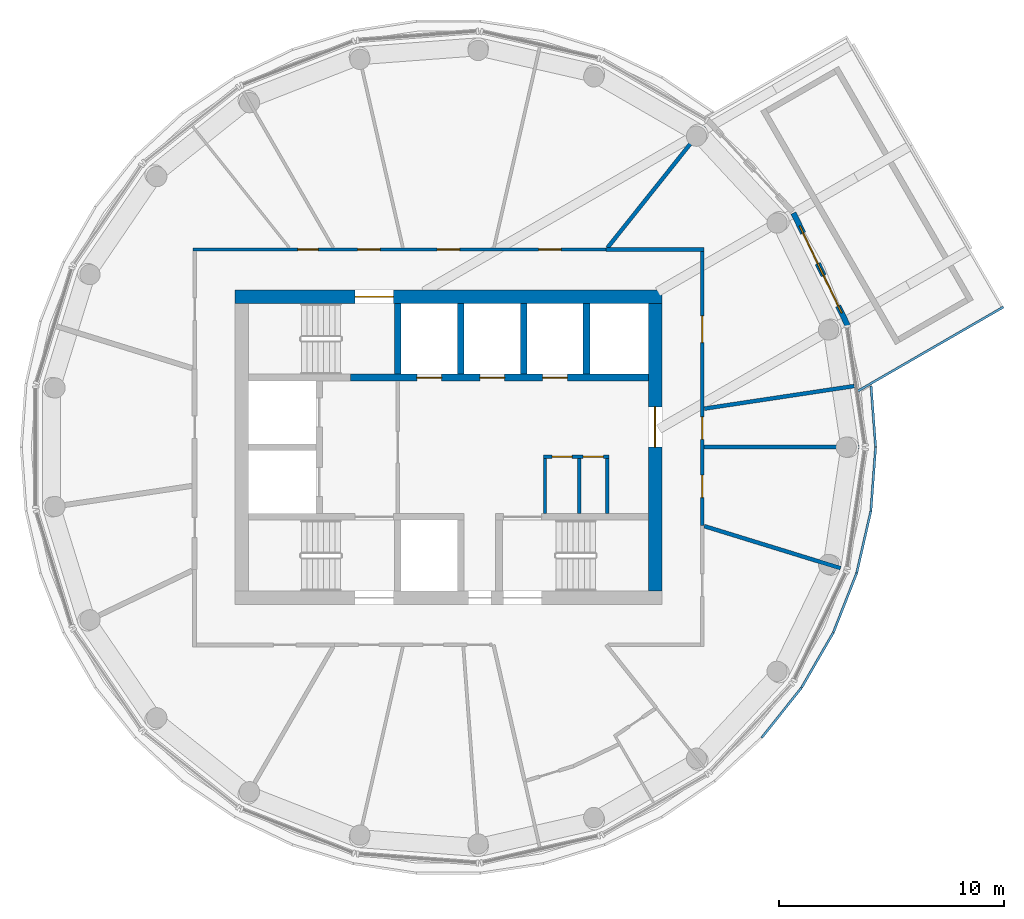
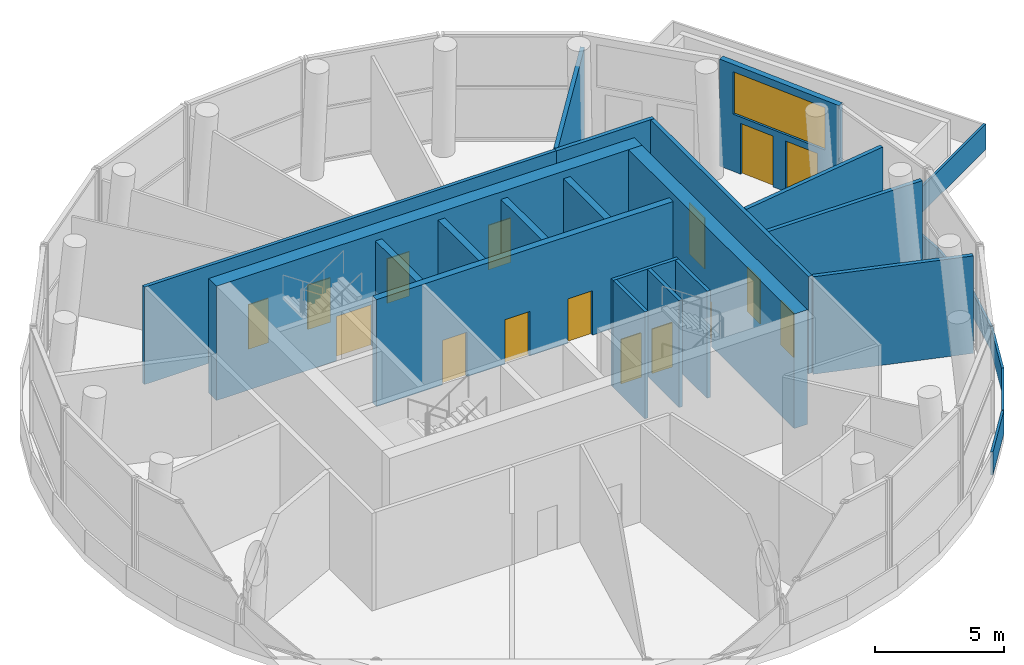
# One storey, part 6 of 10: 26 walls, 16 doors, 1 window, 17 openings.
"""IFC4 building model written with IfcOpenShell, lengths in metres."""

from ifc_helpers import new_model, si_unit, direction, frame, frame_2d, origin, place, context, subcontext, project, spatial, rectangle, extrude, material, layer, layer_set, type_object, element, fill, save


model = new_model("IFC4")

# Units and contexts
model_context = context("Model", 3, precision=1e-05, world=origin(), true_north=direction((0.0, 1.0)))
body_context = subcontext(model_context, "Body", "Model", "MODEL_VIEW")
ifc_project = project(units=[si_unit("LENGTHUNIT", "METRE"), si_unit("AREAUNIT", "SQUARE_METRE"), si_unit("VOLUMEUNIT", "CUBIC_METRE"), si_unit("PLANEANGLEUNIT", "RADIAN"), si_unit("MASSUNIT", "GRAM", prefix="KILO")], contexts=[model_context])

# Site, building, storey
site_placement = place(None, origin())
site = spatial("IfcSite", under=ifc_project, at=site_placement, CompositionType="ELEMENT")
building_placement = place(site_placement, origin())
building = spatial("IfcBuilding", under=site, at=building_placement, Name="Tracery Tower", CompositionType="ELEMENT")
storey_placement = place(building_placement, frame((0.0, 0.0, 341.39990234375)))
storey = spatial("IfcBuildingStorey", under=building, at=storey_placement, Name="L88", CompositionType="ELEMENT", Elevation=341.39990234375)

# Wall, openings, doors
ifc_material_1 = material(Name="Plasterboard on steel studs", Category="steel")
ifc_layer_1 = layer(ifc_material_1, 0.175048828125)
ifc_layer_set_1 = layer_set([ifc_layer_1], Name="Compartment partition 175")
wall_type_1 = type_object("IfcWallType", Name="Compartment partition 175", PredefinedType="PARTITIONING", material=ifc_layer_set_1)
wall_1_placement = place(storey_placement, frame((11.300048828125, 8.71240234375, 0.0), z_axis=(0.0, 0.0, 1.0), x_axis=(0.0, -1.0, 0.0)))
wall_1 = element("IfcWall", 1, at=wall_1_placement, inside=storey, type_object=wall_type_1, Name="Compartment partition 175", PredefinedType="PARTITIONING", context=body_context, shape_type="SweptSolid", body=[
    extrude(rectangle(XDim=12.197998046875, YDim=0.175048828125, at=frame_2d((6.09912109375, 0.0))), origin(), (0.0, 0.0, 1.0), 4.60009765625),
])
opening_1_placement = place(wall_1_placement, frame((2.86083984375, 0.0, 0.0)))
opening_1 = element("IfcOpeningElement", 2, at=opening_1_placement, cuts=wall_1, Name="Opening SB-L88-01", PredefinedType="OPENING", context=body_context, shape_type="SweptSolid", body=[
    extrude(rectangle(XDim=1.199951171875, YDim=2.39990234375, at=frame_2d((0.60009765625, 1.199951171875))), frame((0.0, 0.08740234375, 0.0), z_axis=(0.0, -1.0, 0.0), x_axis=(1.0, 0.0, 0.0)), (0.0, 0.0, 1.0), 0.175048828125),
])
opening_2_placement = place(wall_1_placement, frame((9.955322265625, 0.0, 0.0)))
opening_2 = element("IfcOpeningElement", 3, at=opening_2_placement, cuts=wall_1, Name="Opening SB-L88-16", PredefinedType="OPENING", context=body_context, shape_type="SweptSolid", body=[
    extrude(rectangle(XDim=1.0, YDim=2.10009765625, at=frame_2d((0.5, 1.050048828125))), frame((0.0, 0.08740234375, 0.0), z_axis=(0.0, -1.0, 0.0), x_axis=(1.0, 0.0, 0.0)), (0.0, 0.0, 1.0), 0.175048828125),
])
opening_3_placement = place(wall_1_placement, frame((7.36083984375, 0.0, 0.0)))
opening_3 = element("IfcOpeningElement", 4, at=opening_3_placement, cuts=wall_1, Name="Opening SB-L88-17", PredefinedType="OPENING", context=body_context, shape_type="SweptSolid", body=[
    extrude(rectangle(XDim=1.0, YDim=2.10009765625, at=frame_2d((0.5, 1.050048828125))), frame((0.0, 0.08740234375, 0.0), z_axis=(0.0, -1.0, 0.0), x_axis=(1.0, 0.0, 0.0)), (0.0, 0.0, 1.0), 0.175048828125),
])
ifc_material_2 = material(Name="Glazed aluminium door", Category="aluminium")
door_type_1 = type_object("IfcDoorType", Name="Glazed hall door 1200", OperationType="DOUBLE_DOOR_SINGLE_SWING", PredefinedType="DOOR", material=ifc_material_2)
door_1_placement = place(opening_1_placement, origin())
door_1 = element("IfcDoor", 5, at=door_1_placement, inside=storey, type_object=door_type_1, Name="Glazed hall door 1200", OperationType="DOUBLE_DOOR_SINGLE_SWING", OverallHeight=2.39990234375, OverallWidth=1.199951171875, PredefinedType="DOOR", context=body_context, shape_type="SweptSolid", body=[
    extrude(rectangle(XDim=1.199951171875, YDim=2.39990234375, at=frame_2d((0.60009765625, 1.199951171875))), frame((0.0, 0.02490234375, 0.0), z_axis=(0.0, -1.0, 0.0), x_axis=(1.0, 0.0, 0.0)), (0.0, 0.0, 1.0), 0.050048828125),
])
fill(opening_1, door_1)
ifc_material_3 = material(Name="Timber door leaf", Category="wood")
door_type_2 = type_object("IfcDoorType", Name="Public room door 1000", OperationType="NOTDEFINED", PredefinedType="DOOR", material=ifc_material_3)
door_2_placement = place(opening_2_placement, origin())
door_2 = element("IfcDoor", 6, at=door_2_placement, inside=storey, type_object=door_type_2, Name="Public room door 1000", OperationType="SINGLE_SWING_RIGHT", OverallHeight=2.10009765625, OverallWidth=1.0, PredefinedType="DOOR", context=body_context, shape_type="SweptSolid", body=[
    extrude(rectangle(XDim=1.0, YDim=2.10009765625, at=frame_2d((0.5, 1.050048828125))), frame((0.0, 0.02490234375, 0.0), z_axis=(0.0, -1.0, 0.0), x_axis=(1.0, 0.0, 0.0)), (0.0, 0.0, 1.0), 0.050048828125),
])
fill(opening_2, door_2)
door_3_placement = place(opening_3_placement, origin())
door_3 = element("IfcDoor", 7, at=door_3_placement, inside=storey, type_object=door_type_2, Name="Public room door 1000", OperationType="SINGLE_SWING_RIGHT", OverallHeight=2.10009765625, OverallWidth=1.0, PredefinedType="DOOR", context=body_context, shape_type="SweptSolid", body=[
    extrude(rectangle(XDim=1.0, YDim=2.10009765625, at=frame_2d((0.5, 1.050048828125))), frame((0.0, 0.02490234375, 0.0), z_axis=(0.0, -1.0, 0.0), x_axis=(1.0, 0.0, 0.0)), (0.0, 0.0, 1.0), 0.050048828125),
])
fill(opening_3, door_3)

# Walls
wall_2_placement = place(storey_placement, frame((11.387451171875, 8.800048828125, 0.0), z_axis=(0.0, 0.0, 1.0), x_axis=(-1.0, 0.0, 0.0)))
element("IfcWall", 8, at=wall_2_placement, inside=storey, type_object=wall_type_1, Name="Compartment partition 175", PredefinedType="PARTITIONING", context=body_context, shape_type="SweptSolid", body=[
    extrude(rectangle(XDim=4.36962890625, YDim=0.175048828125, at=frame_2d((2.184814453125, 0.0))), origin(), (0.0, 0.0, 1.0), 4.60009765625),
])
wall_3_placement = place(storey_placement, frame((11.39208984375, 14.28515625, 0.0), z_axis=(0.0, 0.0, 1.0), x_axis=(-0.62348247069, -0.781837328824, 0.0)))
element("IfcWall", 9, at=wall_3_placement, inside=storey, type_object=wall_type_1, Name="Compartment partition 175", PredefinedType="PARTITIONING", context=body_context, shape_type="SweptSolid", body=[
    extrude(rectangle(XDim=6.90380859375, YDim=0.175048828125, at=frame_2d((3.451904296875, 0.0))), origin(), (0.0, 0.0, 1.0), 4.60009765625),
])
wall_4_placement = place(storey_placement, frame((17.459716796875, -5.385498046875, 0.0), z_axis=(0.0, 0.0, 1.0), x_axis=(-0.955583582737, 0.294720234126, 0.0)))
element("IfcWall", 10, at=wall_4_placement, inside=storey, type_object=wall_type_1, Name="Compartment partition 175", PredefinedType="PARTITIONING", context=body_context, shape_type="SweptSolid", body=[
    extrude(rectangle(XDim=6.3544921875, YDim=0.175048828125, at=frame_2d((3.17724609375, 0.0))), origin(), (0.0, 0.0, 1.0), 4.60009765625),
])
wall_5_placement = place(storey_placement, frame((18.0673828125, 2.72314453125, 0.0), z_axis=(0.0, 0.0, 1.0), x_axis=(-0.988830493551, -0.149044473309, 0.0)))
element("IfcWall", 11, at=wall_5_placement, inside=storey, type_object=wall_type_1, Name="Compartment partition 175", PredefinedType="PARTITIONING", context=body_context, shape_type="SweptSolid", body=[
    extrude(rectangle(XDim=6.748779296875, YDim=0.175048828125, at=frame_2d((3.37451171875, 0.0))), origin(), (0.0, 0.0, 1.0), 4.60009765625),
])
wall_6_placement = place(storey_placement, frame((18.271484375, 0.0, 0.0), z_axis=(0.0, 0.0, 1.0), x_axis=(-1.0, 0.0, 0.0)))
element("IfcWall", 12, at=wall_6_placement, inside=storey, type_object=wall_type_1, Name="Compartment partition 175", PredefinedType="PARTITIONING", context=body_context, shape_type="SweptSolid", body=[
    extrude(rectangle(XDim=6.884033203125, YDim=0.175048828125, at=frame_2d((3.44189453125, 0.0))), origin(), (0.0, 0.0, 1.0), 4.60009765625),
])
ifc_material_4 = material(Name="Plasterboard on steel studs", Category="steel")
ifc_layer_2 = layer(ifc_material_4, 0.14990234375)
ifc_layer_set_2 = layer_set([ifc_layer_2], Name="Core room partition 150")
wall_type_2 = type_object("IfcWallType", Name="Core room partition 150", PredefinedType="SOLIDWALL", material=ifc_layer_set_2)
wall_7_placement = place(storey_placement, frame((4.300048828125, -2.949951171875, 0.0), z_axis=(0.0, 0.0, 1.0), x_axis=(0.0, 1.0, 0.0)))
element("IfcWall", 13, at=wall_7_placement, inside=storey, type_object=wall_type_2, Name="L88 slot W", PredefinedType="SOLIDWALL", context=body_context, shape_type="SweptSolid", body=[
    extrude(rectangle(XDim=2.449951171875, YDim=0.14990234375, at=frame_2d((1.22509765625, 0.0))), origin(), (0.0, 0.0, 1.0), 5.050048828125),
])

# Wall, openings, doors
wall_8_placement = place(storey_placement, frame((4.22509765625, -0.425048828125, 0.0), z_axis=(0.0, 0.0, 1.0), x_axis=(1.0, 0.0, 0.0)))
wall_8 = element("IfcWall", 14, at=wall_8_placement, inside=storey, type_object=wall_type_2, Name="L88 slot N", PredefinedType="SOLIDWALL", context=body_context, shape_type="SweptSolid", body=[
    extrude(rectangle(XDim=2.9248046875, YDim=0.14990234375, at=frame_2d((1.46240234375, 0.0))), origin(), (0.0, 0.0, 1.0), 5.050048828125),
])
opening_4_placement = place(wall_8_placement, frame((0.387451171875, 0.0, 0.0)))
opening_4 = element("IfcOpeningElement", 15, at=opening_4_placement, cuts=wall_8, Name="Opening KD22", PredefinedType="OPENING", context=body_context, shape_type="SweptSolid", body=[
    extrude(rectangle(XDim=0.89990234375, YDim=2.10009765625, at=frame_2d((0.449951171875, 1.050048828125))), frame((0.0, 0.074951171875, 0.0), z_axis=(0.0, -1.0, 0.0), x_axis=(1.0, 0.0, 0.0)), (0.0, 0.0, 1.0), 0.14990234375),
])
opening_5_placement = place(wall_8_placement, frame((1.77490234375, 0.0, 0.0)))
opening_5 = element("IfcOpeningElement", 16, at=opening_5_placement, cuts=wall_8, Name="Opening KD26", PredefinedType="OPENING", context=body_context, shape_type="SweptSolid", body=[
    extrude(rectangle(XDim=0.89990234375, YDim=2.10009765625, at=frame_2d((0.449951171875, 1.050048828125))), frame((0.0, 0.074951171875, 0.0), z_axis=(0.0, -1.0, 0.0), x_axis=(1.0, 0.0, 0.0)), (0.0, 0.0, 1.0), 0.14990234375),
])
ifc_material_5 = material(Name="Timber door leaf", Category="wood")
door_type_3 = type_object("IfcDoorType", Name="Core WC door 900", OperationType="NOTDEFINED", PredefinedType="DOOR", material=ifc_material_5)
door_4_placement = place(opening_4_placement, origin())
door_4 = element("IfcDoor", 17, at=door_4_placement, inside=storey, type_object=door_type_3, Name="Core door", OperationType="SINGLE_SWING_RIGHT", OverallHeight=2.10009765625, OverallWidth=0.89990234375, PredefinedType="DOOR", context=body_context, shape_type="SweptSolid", body=[
    extrude(rectangle(XDim=0.89990234375, YDim=2.10009765625, at=frame_2d((0.449951171875, 1.050048828125))), frame((0.0, 0.02490234375, 0.0), z_axis=(0.0, -1.0, 0.0), x_axis=(1.0, 0.0, 0.0)), (0.0, 0.0, 1.0), 0.050048828125),
])
fill(opening_4, door_4)
ifc_material_6 = material(Name="Timber door leaf", Category="wood")
door_type_4 = type_object("IfcDoorType", Name="Core store door 900", OperationType="NOTDEFINED", PredefinedType="DOOR", material=ifc_material_6)
door_5_placement = place(opening_5_placement, origin())
door_5 = element("IfcDoor", 18, at=door_5_placement, inside=storey, type_object=door_type_4, Name="Core door", OperationType="SINGLE_SWING_LEFT", OverallHeight=2.10009765625, OverallWidth=0.89990234375, PredefinedType="DOOR", context=body_context, shape_type="SweptSolid", body=[
    extrude(rectangle(XDim=0.89990234375, YDim=2.10009765625, at=frame_2d((0.449951171875, 1.050048828125))), frame((0.0, 0.02490234375, 0.0), z_axis=(0.0, -1.0, 0.0), x_axis=(1.0, 0.0, 0.0)), (0.0, 0.0, 1.0), 0.050048828125),
])
fill(opening_5, door_5)

# Walls
for number, where, z_axis, x_axis, name in (
    (19, (7.074951171875, -2.949951171875, 0.0), (0.0, 0.0, 1.0), (0.0, 1.0, 0.0), "L88 slot E"),
    (20, (5.824951171875, -2.949951171875, 0.0), (0.0, 0.0, 1.0), (0.0, 1.0, 0.0), "L88 slot sep 1"),
):
    element("IfcWall", number, at=place(storey_placement, frame(where, z_axis=z_axis, x_axis=x_axis)), inside=storey, type_object=wall_type_2, Name=name, PredefinedType="SOLIDWALL", context=body_context, shape_type="SweptSolid", body=[
        extrude(rectangle(XDim=2.449951171875, YDim=0.14990234375, at=frame_2d((1.22509765625, 0.0))), origin(), (0.0, 0.0, 1.0), 5.050048828125),
    ])

# Wall, opening, door
ifc_material_7 = material(Name="Concrete C40/50", Category="concrete")
ifc_layer_3 = layer(ifc_material_7, 0.60009765625)
ifc_layer_set_3 = layer_set([ifc_layer_3], Name="Core wall 600 C40")
wall_type_3 = type_object("IfcWallType", Name="Core wall 600 C40", PredefinedType="SOLIDWALL", material=ifc_layer_set_3)
wall_9_placement = place(storey_placement, frame((-9.5, 6.699951171875, 0.0), z_axis=(0.0, 0.0, 1.0), x_axis=(1.0, 0.0, 0.0)))
wall_9 = element("IfcWall", 21, at=wall_9_placement, inside=storey, type_object=wall_type_3, Name="L88 outer N", PredefinedType="SOLIDWALL", context=body_context, shape_type="SweptSolid", body=[
    extrude(rectangle(XDim=19.0, YDim=0.60009765625, at=frame_2d((9.5, 0.0))), origin(), (0.0, 0.0, 1.0), 5.400146484375),
])
opening_6_placement = place(wall_9_placement, frame((5.35009765625, 0.0, 0.0)))
opening_6 = element("IfcOpeningElement", 22, at=opening_6_placement, cuts=wall_9, Name="Opening KD3", PredefinedType="OPENING", context=body_context, shape_type="SweptSolid", body=[
    extrude(rectangle(XDim=1.699951171875, YDim=2.10009765625, at=frame_2d((0.85009765625, 1.050048828125))), frame((0.0, 0.300048828125, 0.0), z_axis=(0.0, -1.0, 0.0), x_axis=(1.0, 0.0, 0.0)), (0.0, 0.0, 1.0), 0.60009765625),
])
ifc_material_8 = material(Name="Steel fire door", Category="steel")
door_type_5 = type_object("IfcDoorType", Name="Core stair door 1700 double", OperationType="NOTDEFINED", PredefinedType="DOOR", material=ifc_material_8)
door_6_placement = place(opening_6_placement, origin())
door_6 = element("IfcDoor", 23, at=door_6_placement, inside=storey, type_object=door_type_5, Name="Stair door ST3 exit", OperationType="DOUBLE_DOOR_SINGLE_SWING", OverallHeight=2.10009765625, OverallWidth=1.699951171875, PredefinedType="DOOR", context=body_context, shape_type="SweptSolid", body=[
    extrude(rectangle(XDim=1.699951171875, YDim=2.10009765625, at=frame_2d((0.85009765625, 1.050048828125))), frame((0.0, 0.02490234375, 0.0), z_axis=(0.0, -1.0, 0.0), x_axis=(1.0, 0.0, 0.0)), (0.0, 0.0, 1.0), 0.050048828125),
])
fill(opening_6, door_6)

wall_10_placement = place(storey_placement, frame((9.199951171875, -6.39990234375, 0.0), z_axis=(0.0, 0.0, 1.0), x_axis=(0.0, 1.0, 0.0)))
wall_10 = element("IfcWall", 24, at=wall_10_placement, inside=storey, type_object=wall_type_3, Name="L88 outer E", PredefinedType="SOLIDWALL", context=body_context, shape_type="SweptSolid", body=[
    extrude(rectangle(XDim=12.7998046875, YDim=0.60009765625, at=frame_2d((6.39990234375, 0.0))), origin(), (0.0, 0.0, 1.0), 5.400146484375),
])
opening_7_placement = place(wall_10_placement, frame((6.39990234375, 0.0, 0.0)))
opening_7 = element("IfcOpeningElement", 25, at=opening_7_placement, cuts=wall_10, Name="Opening KD13", PredefinedType="OPENING", context=body_context, shape_type="SweptSolid", body=[
    extrude(rectangle(XDim=1.800048828125, YDim=2.10009765625, at=frame_2d((0.89990234375, 1.050048828125))), frame((0.0, 0.300048828125, 0.0), z_axis=(0.0, -1.0, 0.0), x_axis=(1.0, 0.0, 0.0)), (0.0, 0.0, 1.0), 0.60009765625),
])
ifc_material_9 = material(Name="Steel fire door", Category="steel")
door_type_6 = type_object("IfcDoorType", Name="Core exit door 1800 double", OperationType="NOTDEFINED", PredefinedType="DOOR", material=ifc_material_9)
door_7_placement = place(opening_7_placement, origin())
door_7 = element("IfcDoor", 26, at=door_7_placement, inside=storey, type_object=door_type_6, Name="Core exit door", OperationType="DOUBLE_DOOR_SINGLE_SWING", OverallHeight=2.10009765625, OverallWidth=1.800048828125, PredefinedType="DOOR", context=body_context, shape_type="SweptSolid", body=[
    extrude(rectangle(XDim=1.800048828125, YDim=2.10009765625, at=frame_2d((0.89990234375, 1.050048828125))), frame((0.0, 0.02490234375, 0.0), z_axis=(0.0, -1.0, 0.0), x_axis=(1.0, 0.0, 0.0)), (0.0, 0.0, 1.0), 0.050048828125),
])
fill(opening_7, door_7)

# Wall, openings, doors
ifc_material_10 = material(Name="Plasterboard on steel studs", Category="steel")
ifc_layer_4 = layer(ifc_material_10, 0.14990234375)
ifc_layer_set_4 = layer_set([ifc_layer_4], Name="Corridor partition 150")
wall_type_4 = type_object("IfcWallType", Name="Corridor partition 150", PredefinedType="PARTITIONING", material=ifc_layer_set_4)
wall_11_placement = place(storey_placement, frame((-11.375, 8.800048828125, 0.0), z_axis=(0.0, 0.0, 1.0), x_axis=(1.0, 0.0, 0.0)))
wall_11 = element("IfcWall", 27, at=wall_11_placement, inside=storey, type_object=wall_type_4, Name="Corridor partition 150", PredefinedType="PARTITIONING", context=body_context, shape_type="SweptSolid", body=[
    extrude(rectangle(XDim=18.392822265625, YDim=0.14990234375, at=frame_2d((9.1962890625, 0.0))), origin(), (0.0, 0.0, 1.0), 4.60009765625),
])
opening_8_placement = place(wall_11_placement, frame((15.38818359375, 0.0, 0.0)))
opening_8 = element("IfcOpeningElement", 28, at=opening_8_placement, cuts=wall_11, Name="Opening SB-L88-02", PredefinedType="OPENING", context=body_context, shape_type="SweptSolid", body=[
    extrude(rectangle(XDim=1.0, YDim=2.10009765625, at=frame_2d((0.5, 1.050048828125))), frame((0.0, 0.074951171875, 0.0), z_axis=(0.0, -1.0, 0.0), x_axis=(1.0, 0.0, 0.0)), (0.0, 0.0, 1.0), 0.14990234375),
])
opening_9_placement = place(wall_11_placement, frame((10.875, 0.0, 0.0)))
opening_9 = element("IfcOpeningElement", 29, at=opening_9_placement, cuts=wall_11, Name="Opening SB-L88-03", PredefinedType="OPENING", context=body_context, shape_type="SweptSolid", body=[
    extrude(rectangle(XDim=1.0, YDim=2.10009765625, at=frame_2d((0.5, 1.050048828125))), frame((0.0, 0.074951171875, 0.0), z_axis=(0.0, -1.0, 0.0), x_axis=(1.0, 0.0, 0.0)), (0.0, 0.0, 1.0), 0.14990234375),
])
opening_10_placement = place(wall_11_placement, frame((7.330322265625, 0.0, 0.0)))
opening_10 = element("IfcOpeningElement", 30, at=opening_10_placement, cuts=wall_11, Name="Opening SB-L88-04", PredefinedType="OPENING", context=body_context, shape_type="SweptSolid", body=[
    extrude(rectangle(XDim=1.0, YDim=2.10009765625, at=frame_2d((0.5, 1.050048828125))), frame((0.0, 0.074951171875, 0.0), z_axis=(0.0, -1.0, 0.0), x_axis=(1.0, 0.0, 0.0)), (0.0, 0.0, 1.0), 0.14990234375),
])
opening_11_placement = place(wall_11_placement, frame((4.67578125, 0.0, 0.0)))
opening_11 = element("IfcOpeningElement", 31, at=opening_11_placement, cuts=wall_11, Name="Opening SB-L88-05", PredefinedType="OPENING", context=body_context, shape_type="SweptSolid", body=[
    extrude(rectangle(XDim=0.89990234375, YDim=2.10009765625, at=frame_2d((0.449951171875, 1.050048828125))), frame((0.0, 0.074951171875, 0.0), z_axis=(0.0, -1.0, 0.0), x_axis=(1.0, 0.0, 0.0)), (0.0, 0.0, 1.0), 0.14990234375),
])
ifc_material_11 = material(Name="Timber door leaf", Category="wood")
door_type_7 = type_object("IfcDoorType", Name="Accessible toilet door 1000", OperationType="NOTDEFINED", PredefinedType="DOOR", material=ifc_material_11)
door_8_placement = place(opening_10_placement, origin())
door_8 = element("IfcDoor", 32, at=door_8_placement, inside=storey, type_object=door_type_7, Name="Accessible toilet door 1000", OperationType="SINGLE_SWING_RIGHT", OverallHeight=2.10009765625, OverallWidth=1.0, PredefinedType="DOOR", context=body_context, shape_type="SweptSolid", body=[
    extrude(rectangle(XDim=1.0, YDim=2.10009765625, at=frame_2d((0.5, 1.050048828125))), frame((0.0, 0.02490234375, 0.0), z_axis=(0.0, -1.0, 0.0), x_axis=(1.0, 0.0, 0.0)), (0.0, 0.0, 1.0), 0.050048828125),
])
fill(opening_10, door_8)
door_9_placement = place(opening_8_placement, origin())
door_9 = element("IfcDoor", 33, at=door_9_placement, inside=storey, type_object=door_type_2, Name="Public room door 1000", OperationType="SINGLE_SWING_RIGHT", OverallHeight=2.10009765625, OverallWidth=1.0, PredefinedType="DOOR", context=body_context, shape_type="SweptSolid", body=[
    extrude(rectangle(XDim=1.0, YDim=2.10009765625, at=frame_2d((0.5, 1.050048828125))), frame((0.0, 0.02490234375, 0.0), z_axis=(0.0, -1.0, 0.0), x_axis=(1.0, 0.0, 0.0)), (0.0, 0.0, 1.0), 0.050048828125),
])
fill(opening_8, door_9)
door_10_placement = place(opening_9_placement, origin())
door_10 = element("IfcDoor", 34, at=door_10_placement, inside=storey, type_object=door_type_2, Name="Public room door 1000", OperationType="SINGLE_SWING_RIGHT", OverallHeight=2.10009765625, OverallWidth=1.0, PredefinedType="DOOR", context=body_context, shape_type="SweptSolid", body=[
    extrude(rectangle(XDim=1.0, YDim=2.10009765625, at=frame_2d((0.5, 1.050048828125))), frame((0.0, 0.02490234375, 0.0), z_axis=(0.0, -1.0, 0.0), x_axis=(1.0, 0.0, 0.0)), (0.0, 0.0, 1.0), 0.050048828125),
])
fill(opening_9, door_10)
ifc_material_12 = material(Name="Steel fire door", Category="steel")
door_type_8 = type_object("IfcDoorType", Name="Store door 900", OperationType="NOTDEFINED", PredefinedType="DOOR", material=ifc_material_12)
door_11_placement = place(opening_11_placement, origin())
door_11 = element("IfcDoor", 35, at=door_11_placement, inside=storey, type_object=door_type_8, Name="Store door 900", OperationType="SINGLE_SWING_RIGHT", OverallHeight=2.10009765625, OverallWidth=0.89990234375, PredefinedType="DOOR", context=body_context, shape_type="SweptSolid", body=[
    extrude(rectangle(XDim=0.89990234375, YDim=2.10009765625, at=frame_2d((0.449951171875, 1.050048828125))), frame((0.0, 0.02490234375, 0.0), z_axis=(0.0, -1.0, 0.0), x_axis=(1.0, 0.0, 0.0)), (0.0, 0.0, 1.0), 0.050048828125),
])
fill(opening_11, door_11)

# Walls
ifc_material_13 = material(Name="Tinted laminated glass", Category="glass")
ifc_layer_5 = layer(ifc_material_13, 0.10009765625)
ifc_layer_set_5 = layer_set([ifc_layer_5], Name="Crown ledge glass parapet 100")
wall_type_5 = type_object("IfcWallType", Name="Crown ledge glass parapet 100", PredefinedType="PARAPET", material=ifc_layer_set_5)
wall_12_placement = place(storey_placement, frame((19.021728515625, 0.004638671875, 0.0), z_axis=(0.0, 0.0, 1.0), x_axis=(-0.074758787466, 0.997201646457, 0.0)))
element("IfcWall", 36, at=wall_12_placement, inside=storey, type_object=wall_type_5, Name="Crown ledge glass parapet L88 1", PredefinedType="PARAPET", context=body_context, shape_type="SweptSolid", body=[
    extrude(rectangle(XDim=2.726806640625, YDim=0.10009765625, at=frame_2d((1.36328125, 0.0))), origin(), (0.0, 0.0, 1.0), 1.10009765625),
])
wall_13_placement = place(storey_placement, frame((13.947021484375, -12.9345703125, 0.0), z_axis=(0.0, 0.0, 1.0), x_axis=(0.623528060762, 0.781800970479, 0.0)))
element("IfcWall", 37, at=wall_13_placement, inside=storey, type_object=wall_type_5, Name="Crown ledge glass parapet L88 38", PredefinedType="PARAPET", context=body_context, shape_type="SweptSolid", body=[
    extrude(rectangle(XDim=2.833740234375, YDim=0.10009765625, at=frame_2d((1.4169921875, 0.0))), origin(), (0.0, 0.0, 1.0), 1.10009765625),
])
for number, where, z_axis, x_axis, name in (
    (38, (15.718994140625, -10.71142578125, 0.0), (0.0, 0.0, 1.0), (0.500068006784, 0.865986136489, 0.0), "Crown ledge glass parapet L88 39"),
    (39, (17.139892578125, -8.248779296875, 0.0), (0.0, 0.0, 1.0), (0.36542576192, 0.930840487154, 0.0), "Crown ledge glass parapet L88 40"),
):
    element("IfcWall", number, at=place(storey_placement, frame(where, z_axis=z_axis, x_axis=x_axis)), inside=storey, type_object=wall_type_5, Name=name, PredefinedType="PARAPET", context=body_context, shape_type="SweptSolid", body=[
        extrude(rectangle(XDim=2.83349609375, YDim=0.10009765625, at=frame_2d((1.416748046875, 0.0))), origin(), (0.0, 0.0, 1.0), 1.10009765625),
    ])
wall_14_placement = place(storey_placement, frame((18.177978515625, -5.602294921875, 0.0), z_axis=(0.0, 0.0, 1.0), x_axis=(0.22253705317, 0.974924232936, 0.0)))
element("IfcWall", 40, at=wall_14_placement, inside=storey, type_object=wall_type_5, Name="Crown ledge glass parapet L88 41", PredefinedType="PARAPET", context=body_context, shape_type="SweptSolid", body=[
    extrude(rectangle(XDim=2.833740234375, YDim=0.10009765625, at=frame_2d((1.4169921875, 0.0))), origin(), (0.0, 0.0, 1.0), 1.10009765625),
])
wall_15_placement = place(storey_placement, frame((18.81005859375, -2.830322265625, 0.0), z_axis=(0.0, 0.0, 1.0), x_axis=(0.074699986856, 0.997206052912, 0.0)))
element("IfcWall", 41, at=wall_15_placement, inside=storey, type_object=wall_type_5, Name="Crown ledge glass parapet L88 42", PredefinedType="PARAPET", context=body_context, shape_type="SweptSolid", body=[
    extrude(rectangle(XDim=2.83349609375, YDim=0.10009765625, at=frame_2d((1.416748046875, 0.0))), origin(), (0.0, 0.0, 1.0), 1.10009765625),
])

# Wall, openings, window, doors
ifc_material_14 = material(Name="Precast concrete C50/60", Category="concrete")
ifc_layer_6 = layer(ifc_material_14, 0.25)
ifc_layer_set_6 = layer_set([ifc_layer_6], Name="Pool deck door bay wall 250")
wall_type_6 = type_object("IfcWallType", Name="Pool deck door bay wall 250", PredefinedType="STANDARD", material=ifc_layer_set_6)
wall_16_placement = place(storey_placement, frame((17.7861328125, 5.393310546875, 0.0), z_axis=(0.0, 0.0, 1.0), x_axis=(-0.433912859594, 0.900954843641, 0.0)))
wall_16 = element("IfcWall", 42, at=wall_16_placement, inside=storey, type_object=wall_type_6, Name="Pool deck door bay 2", PredefinedType="STANDARD", context=body_context, shape_type="SweptSolid", body=[
    extrude(rectangle(XDim=5.5859375, YDim=0.25, at=frame_2d((2.79296875, 0.0))), origin(), (0.0, 0.0, 1.0), 5.050048828125),
])
opening_12_placement = place(wall_16_placement, frame((0.992919921875, 0.0, 0.0)))
opening_12 = element("IfcOpeningElement", 43, at=opening_12_placement, cuts=wall_16, Name="Opening ED921", PredefinedType="OPENING", context=body_context, shape_type="SweptSolid", body=[
    extrude(rectangle(XDim=1.5, YDim=2.39990234375, at=frame_2d((0.75, 1.199951171875))), frame((0.0, 0.125, 0.0), z_axis=(0.0, -1.0, 0.0), x_axis=(1.0, 0.0, 0.0)), (0.0, 0.0, 1.0), 0.25),
])
opening_13_placement = place(wall_16_placement, frame((3.093017578125, 0.0, 0.0)))
opening_13 = element("IfcOpeningElement", 44, at=opening_13_placement, cuts=wall_16, Name="Opening ED922", PredefinedType="OPENING", context=body_context, shape_type="SweptSolid", body=[
    extrude(rectangle(XDim=1.5, YDim=2.39990234375, at=frame_2d((0.75, 1.199951171875))), frame((0.0, 0.125, 0.0), z_axis=(0.0, -1.0, 0.0), x_axis=(1.0, 0.0, 0.0)), (0.0, 0.0, 1.0), 0.25),
])
opening_14_placement = place(wall_16_placement, frame((0.64306640625, 0.0, 2.699951171875)))
opening_14 = element("IfcOpeningElement", 45, at=opening_14_placement, cuts=wall_16, Name="Opening EW821", PredefinedType="OPENING", context=body_context, shape_type="SweptSolid", body=[
    extrude(rectangle(XDim=4.300048828125, YDim=2.0, at=frame_2d((2.14990234375, 1.0))), frame((0.0, 0.125, 0.0), z_axis=(0.0, -1.0, 0.0), x_axis=(1.0, 0.0, 0.0)), (0.0, 0.0, 1.0), 0.25),
])
ifc_material_15 = material(Name="Aluminium frame with tinted double glazing", Category="aluminium")
window_type = type_object("IfcWindowType", Name="Pool bay glazed light 4300 x 2000", PartitioningType="SINGLE_PANEL", PredefinedType="WINDOW", material=ifc_material_15)
window_placement = place(opening_14_placement, origin())
window = element("IfcWindow", 46, at=window_placement, inside=storey, type_object=window_type, Name="Pool bay light EW821", OverallHeight=2.0, OverallWidth=4.300048828125, PartitioningType="SINGLE_PANEL", PredefinedType="WINDOW", context=body_context, shape_type="SweptSolid", body=[
    extrude(rectangle(XDim=4.300048828125, YDim=2.0, at=frame_2d((2.14990234375, 1.0))), frame((0.0, 0.030029296875, 0.0), z_axis=(0.0, -1.0, 0.0), x_axis=(1.0, 0.0, 0.0)), (0.0, 0.0, 1.0), 0.06005859375),
])
fill(opening_14, window)
ifc_material_16 = material(Name="Glazed aluminium door", Category="aluminium")
door_type_9 = type_object("IfcDoorType", Name="Pool deck door 1500 x 2400", OperationType="NOTDEFINED", PredefinedType="DOOR", material=ifc_material_16)
door_12_placement = place(opening_12_placement, origin())
door_12 = element("IfcDoor", 47, at=door_12_placement, inside=storey, type_object=door_type_9, Name="Pool deck door ED921", OperationType="SLIDING_TO_LEFT", OverallHeight=2.39990234375, OverallWidth=1.5, PredefinedType="DOOR", context=body_context, shape_type="SweptSolid", body=[
    extrude(rectangle(XDim=1.5, YDim=2.39990234375, at=frame_2d((0.75, 1.199951171875))), frame((0.0, 0.02490234375, 0.0), z_axis=(0.0, -1.0, 0.0), x_axis=(1.0, 0.0, 0.0)), (0.0, 0.0, 1.0), 0.050048828125),
])
fill(opening_12, door_12)
door_13_placement = place(opening_13_placement, origin())
door_13 = element("IfcDoor", 48, at=door_13_placement, inside=storey, type_object=door_type_9, Name="Pool deck door ED922", OperationType="SLIDING_TO_RIGHT", OverallHeight=2.39990234375, OverallWidth=1.5, PredefinedType="DOOR", context=body_context, shape_type="SweptSolid", body=[
    extrude(rectangle(XDim=1.5, YDim=2.39990234375, at=frame_2d((0.75, 1.199951171875))), frame((0.0, 0.02490234375, 0.0), z_axis=(0.0, -1.0, 0.0), x_axis=(1.0, 0.0, 0.0)), (0.0, 0.0, 1.0), 0.050048828125),
])
fill(opening_13, door_13)

# Walls
ifc_material_17 = material(Name="Tinted laminated glass", Category="glass")
ifc_layer_7 = layer(ifc_material_17, 0.10009765625)
ifc_layer_set_7 = layer_set([ifc_layer_7], Name="Pool deck glass parapet 100")
wall_type_7 = type_object("IfcWallType", Name="Pool deck glass parapet 100", PredefinedType="PARAPET", material=ifc_layer_set_7)
wall_17_placement = place(storey_placement, frame((18.1982421875, 2.4814453125, 0.0), z_axis=(0.0, 0.0, 1.0), x_axis=(0.866020676099, 0.500008188502, 0.0)))
element("IfcWall", 49, at=wall_17_placement, inside=storey, type_object=wall_type_7, Name="Pool deck glass parapet 1", PredefinedType="PARAPET", context=body_context, shape_type="SweptSolid", body=[
    extrude(rectangle(XDim=7.519287109375, YDim=0.10009765625, at=frame_2d((3.759765625, 0.0))), origin(), (0.0, 0.0, 1.0), 1.2001953125),
])
ifc_material_18 = material(Name="Concrete C40/50", Category="concrete")
ifc_layer_8 = layer(ifc_material_18, 0.300048828125)
ifc_layer_set_8 = layer_set([ifc_layer_8], Name="Shaft wall 300 C40")
wall_type_8 = type_object("IfcWallType", Name="Shaft wall 300 C40", PredefinedType="SOLIDWALL", material=ifc_layer_set_8)
for number, where, z_axis, x_axis, name in (
    (50, (0.550048828125, 3.25, 0.0), (0.0, 0.0, 1.0), (0.0, 1.0, 0.0), "L88 HR sep 1"),
    (51, (3.35009765625, 3.25, 0.0), (0.0, 0.0, 1.0), (0.0, 1.0, 0.0), "L88 HR sep 2"),
    (52, (6.14990234375, 3.25, 0.0), (0.0, 0.0, 1.0), (0.0, 1.0, 0.0), "L88 HR sep 3"),
):
    element("IfcWall", number, at=place(storey_placement, frame(where, z_axis=z_axis, x_axis=x_axis)), inside=storey, type_object=wall_type_8, Name=name, PredefinedType="SOLIDWALL", context=body_context, shape_type="SweptSolid", body=[
        extrude(rectangle(XDim=3.14990234375, YDim=0.300048828125, at=frame_2d((1.574951171875, 0.0))), origin(), (0.0, 0.0, 1.0), 5.050048828125),
    ])

# Wall, openings, doors
ifc_material_19 = material(Name="Concrete C40/50", Category="concrete")
ifc_layer_9 = layer(ifc_material_19, 0.300048828125)
ifc_layer_set_9 = layer_set([ifc_layer_9], Name="Stair wall 300 C40")
wall_type_9 = type_object("IfcWallType", Name="Stair wall 300 C40", PredefinedType="SOLIDWALL", material=ifc_layer_set_9)
wall_18_placement = place(storey_placement, frame((-4.35009765625, 3.10009765625, 0.0), z_axis=(0.0, 0.0, 1.0), x_axis=(1.0, 0.0, 0.0)))
wall_18 = element("IfcWall", 53, at=wall_18_placement, inside=storey, type_object=wall_type_9, Name="L88 row N", PredefinedType="SOLIDWALL", context=body_context, shape_type="SweptSolid", body=[
    extrude(rectangle(XDim=13.25, YDim=0.300048828125, at=frame_2d((6.625, 0.0))), origin(), (0.0, 0.0, 1.0), 5.050048828125),
])
opening_15_placement = place(wall_18_placement, frame((2.949951171875, 0.0, 0.0)))
opening_15 = element("IfcOpeningElement", 54, at=opening_15_placement, cuts=wall_18, Name="Opening KD49", PredefinedType="OPENING", context=body_context, shape_type="SweptSolid", body=[
    extrude(rectangle(XDim=1.10009765625, YDim=2.10009765625, at=frame_2d((0.550048828125, 1.050048828125))), frame((0.0, 0.14990234375, 0.0), z_axis=(0.0, -1.0, 0.0), x_axis=(1.0, 0.0, 0.0)), (0.0, 0.0, 1.0), 0.300048828125),
])
opening_16_placement = place(wall_18_placement, frame((5.75, 0.0, 0.0)))
opening_16 = element("IfcOpeningElement", 55, at=opening_16_placement, cuts=wall_18, Name="Opening KD50", PredefinedType="OPENING", context=body_context, shape_type="SweptSolid", body=[
    extrude(rectangle(XDim=1.10009765625, YDim=2.10009765625, at=frame_2d((0.550048828125, 1.050048828125))), frame((0.0, 0.14990234375, 0.0), z_axis=(0.0, -1.0, 0.0), x_axis=(1.0, 0.0, 0.0)), (0.0, 0.0, 1.0), 0.300048828125),
])
opening_17_placement = place(wall_18_placement, frame((8.550048828125, 0.0, 0.0)))
opening_17 = element("IfcOpeningElement", 56, at=opening_17_placement, cuts=wall_18, Name="Opening KD49", PredefinedType="OPENING", context=body_context, shape_type="SweptSolid", body=[
    extrude(rectangle(XDim=1.10009765625, YDim=2.10009765625, at=frame_2d((0.550048828125, 1.050048828125))), frame((0.0, 0.14990234375, 0.0), z_axis=(0.0, -1.0, 0.0), x_axis=(1.0, 0.0, 0.0)), (0.0, 0.0, 1.0), 0.300048828125),
])
ifc_material_20 = material(Name="Steel fire door", Category="steel")
door_type_10 = type_object("IfcDoorType", Name="Landing door 1100", OperationType="NOTDEFINED", PredefinedType="DOOR", material=ifc_material_20)
door_14_placement = place(opening_15_placement, origin())
door_14 = element("IfcDoor", 57, at=door_14_placement, inside=storey, type_object=door_type_10, Name="Landing door HR1", OperationType="SLIDING_TO_LEFT", OverallHeight=2.10009765625, OverallWidth=1.10009765625, PredefinedType="DOOR", context=body_context, shape_type="SweptSolid", body=[
    extrude(rectangle(XDim=1.10009765625, YDim=2.10009765625, at=frame_2d((0.550048828125, 1.050048828125))), frame((0.0, 0.02490234375, 0.0), z_axis=(0.0, -1.0, 0.0), x_axis=(1.0, 0.0, 0.0)), (0.0, 0.0, 1.0), 0.050048828125),
])
fill(opening_15, door_14)
door_15_placement = place(opening_16_placement, origin())
door_15 = element("IfcDoor", 58, at=door_15_placement, inside=storey, type_object=door_type_10, Name="Landing door HR2", OperationType="SLIDING_TO_RIGHT", OverallHeight=2.10009765625, OverallWidth=1.10009765625, PredefinedType="DOOR", context=body_context, shape_type="SweptSolid", body=[
    extrude(rectangle(XDim=1.10009765625, YDim=2.10009765625, at=frame_2d((0.550048828125, 1.050048828125))), frame((0.0, 0.02490234375, 0.0), z_axis=(0.0, -1.0, 0.0), x_axis=(1.0, 0.0, 0.0)), (0.0, 0.0, 1.0), 0.050048828125),
])
fill(opening_16, door_15)
door_16_placement = place(opening_17_placement, origin())
door_16 = element("IfcDoor", 59, at=door_16_placement, inside=storey, type_object=door_type_10, Name="Landing door HR3", OperationType="SLIDING_TO_LEFT", OverallHeight=2.10009765625, OverallWidth=1.10009765625, PredefinedType="DOOR", context=body_context, shape_type="SweptSolid", body=[
    extrude(rectangle(XDim=1.10009765625, YDim=2.10009765625, at=frame_2d((0.550048828125, 1.050048828125))), frame((0.0, 0.02490234375, 0.0), z_axis=(0.0, -1.0, 0.0), x_axis=(1.0, 0.0, 0.0)), (0.0, 0.0, 1.0), 0.050048828125),
])
fill(opening_17, door_16)

# Wall
wall_19_placement = place(storey_placement, frame((-2.25, 3.25, 0.0), z_axis=(0.0, 0.0, 1.0), x_axis=(0.0, 1.0, 0.0)))
element("IfcWall", 60, at=wall_19_placement, inside=storey, type_object=wall_type_9, Name="L88 ST3 E", PredefinedType="SOLIDWALL", context=body_context, shape_type="SweptSolid", body=[
    extrude(rectangle(XDim=3.14990234375, YDim=0.300048828125, at=frame_2d((1.574951171875, 0.0))), origin(), (0.0, 0.0, 1.0), 5.050048828125),
])

save(model, "model.ifc")
